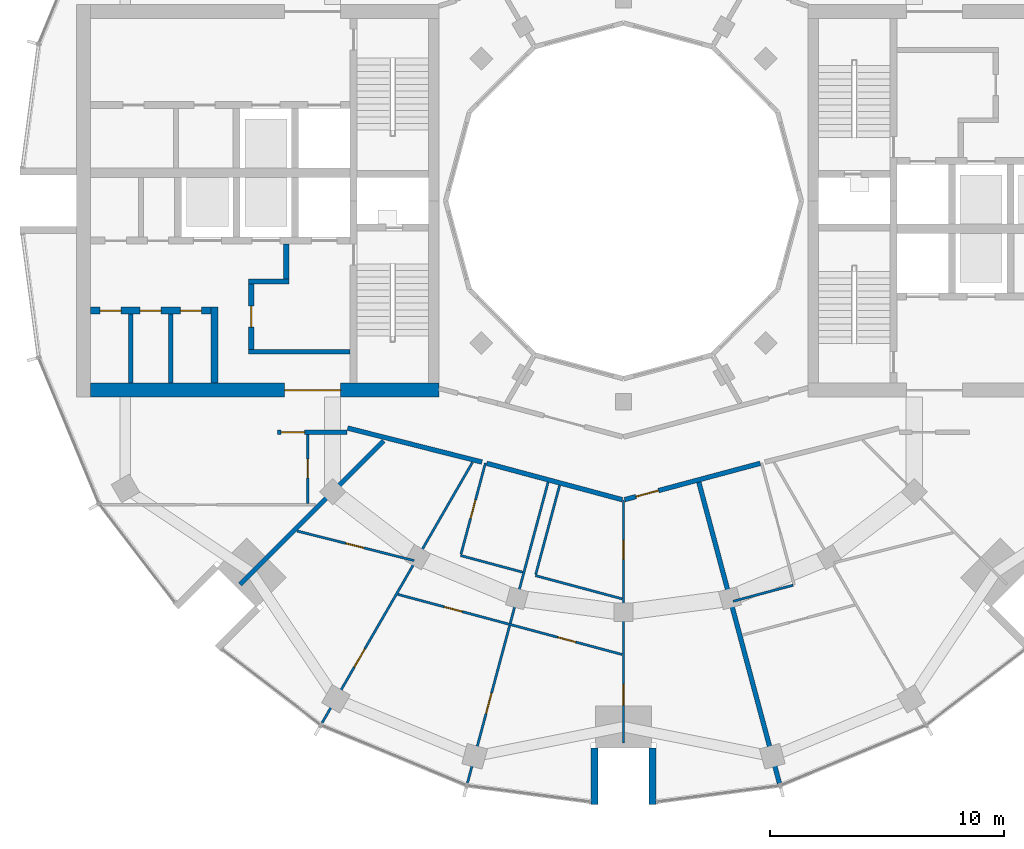
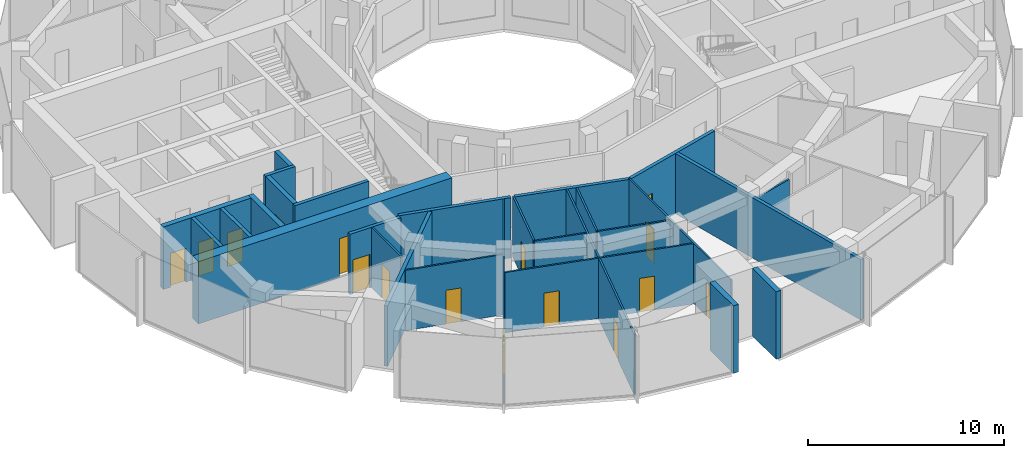
# One storey, part 8 of 15: 28 walls, 16 doors, 16 openings.
"""IFC4 building model written with IfcOpenShell, lengths in metres."""

from ifc_helpers import new_model, si_unit, direction, frame, frame_2d, origin, place, context, subcontext, project, spatial, rectangle, extrude, material, layer, layer_set, type_object, element, fill, save


model = new_model("IFC4")

# Units and contexts
model_context = context("Model", 3, precision=1e-05, world=origin(), true_north=direction((0.0, 1.0)))
body_context = subcontext(model_context, "Body", "Model", "MODEL_VIEW")
ifc_project = project(units=[si_unit("LENGTHUNIT", "METRE"), si_unit("AREAUNIT", "SQUARE_METRE"), si_unit("VOLUMEUNIT", "CUBIC_METRE"), si_unit("PLANEANGLEUNIT", "RADIAN"), si_unit("MASSUNIT", "GRAM", prefix="KILO")], contexts=[model_context])

# Site, building, storey
site_placement = place(None, origin())
site = spatial("IfcSite", under=ifc_project, at=site_placement, CompositionType="ELEMENT")
building_placement = place(site_placement, origin())
building = spatial("IfcBuilding", under=site, at=building_placement, Name="Torre Brocal", CompositionType="ELEMENT")
storey_placement = place(building_placement, frame((0.0, 0.0, 254.10009765625)))
storey = spatial("IfcBuildingStorey", under=building, at=storey_placement, Name="L58", CompositionType="ELEMENT", Elevation=254.10009765625)

# Walls
ifc_material_1 = material(Name="Masonry block", Category="masonry")
ifc_layer_1 = layer(ifc_material_1, 0.199951171875)
ifc_layer_set_1 = layer_set([ifc_layer_1], Name="Masonry block")
wall_type_1 = type_object("IfcWallType", Name="CORE PARTITION 200", PredefinedType="PARTITIONING", material=ifc_layer_set_1)
for number, where, z_axis, x_axis, name in (
    (1, (60.63330078125, 70.14990234375, 0.0), (0.0, 0.0, 1.0), (0.0, -1.0, 0.0), "Wall CP200"),
    (2, (58.916748046875, 70.14990234375, 0.0), (0.0, 0.0, 1.0), (0.0, -1.0, 0.0), "Wall CP200"),
):
    element("IfcWall", number, at=place(storey_placement, frame(where, z_axis=z_axis, x_axis=x_axis)), inside=storey, type_object=wall_type_1, Name=name, PredefinedType="PARTITIONING", context=body_context, shape_type="SweptSolid", body=[
        extrude(rectangle(XDim=2.949951171875, YDim=0.199951171875, at=frame_2d((1.47509765625, 0.0))), origin(), (0.0, 0.0, 1.0), 3.8798828125),
    ])
ifc_material_2 = material(Name="Concrete C60", Category="concrete")
ifc_layer_2 = layer(ifc_material_2, 0.199951171875)
ifc_layer_set_2 = layer_set([ifc_layer_2], Name="Concrete C60")
wall_type_2 = type_object("IfcWallType", Name="CORE WALL 200 C60", PredefinedType="SHEAR", material=ifc_layer_set_2)
wall_1_placement = place(storey_placement, frame((68.300048828125, 68.550048828125, 0.0), z_axis=(0.0, 0.0, 1.0), x_axis=(-1.0, 0.0, 0.0)))
element("IfcWall", 3, at=wall_1_placement, inside=storey, type_object=wall_type_2, Name="Wall CW200-60", PredefinedType="SHEAR", context=body_context, shape_type="SweptSolid", body=[
    extrude(rectangle(XDim=4.35009765625, YDim=0.199951171875, at=frame_2d((2.175048828125, 0.0))), origin(), (0.0, 0.0, 1.0), 3.8798828125),
])
wall_2_placement = place(storey_placement, frame((65.699951171875, 71.550048828125, 0.0), z_axis=(0.0, 0.0, 1.0), x_axis=(-1.0, 0.0, 0.0)))
element("IfcWall", 4, at=wall_2_placement, inside=storey, type_object=wall_type_2, Name="Wall CW200-60", PredefinedType="SHEAR", context=body_context, shape_type="SweptSolid", body=[
    extrude(rectangle(XDim=1.75, YDim=0.199951171875, at=frame_2d((0.875, 0.0))), origin(), (0.0, 0.0, 1.0), 3.8798828125),
])

# Wall, opening, door
ifc_material_3 = material(Name="Concrete C60", Category="concrete")
ifc_layer_3 = layer(ifc_material_3, 0.25)
ifc_layer_set_3 = layer_set([ifc_layer_3], Name="Concrete C60")
wall_type_3 = type_object("IfcWallType", Name="CORE WALL 250 C60", PredefinedType="SHEAR", material=ifc_layer_set_3)
wall_3_placement = place(storey_placement, frame((64.074951171875, 71.449951171875, 0.0), z_axis=(0.0, 0.0, 1.0), x_axis=(0.0, -1.0, 0.0)))
wall_3 = element("IfcWall", 5, at=wall_3_placement, inside=storey, type_object=wall_type_3, Name="Wall CW250-60", PredefinedType="SHEAR", context=body_context, shape_type="SweptSolid", body=[
    extrude(rectangle(XDim=2.800048828125, YDim=0.25, at=frame_2d((1.39990234375, 0.0))), origin(), (0.0, 0.0, 1.0), 3.8798828125),
])
opening_1_placement = place(wall_3_placement, frame((0.949951171875, 0.0, 0.0)))
opening_1 = element("IfcOpeningElement", 6, at=opening_1_placement, cuts=wall_3, Name="Opening W-D08", PredefinedType="OPENING", context=body_context, shape_type="SweptSolid", body=[
    extrude(rectangle(XDim=0.89990234375, YDim=2.10009765625, at=frame_2d((0.449951171875, 1.050048828125))), frame((0.0, 0.135009765625, 0.0), z_axis=(0.0, -1.0, 0.0), x_axis=(1.0, 0.0, 0.0)), (0.0, 0.0, 1.0), 0.27001953125),
])
ifc_material_4 = material(Name="Steel A653", Category="steel")
door_type_1 = type_object("IfcDoorType", Name="LOBBY DOOR FD120 900X2100", OperationType="SINGLE_SWING_RIGHT", PredefinedType="DOOR", material=ifc_material_4)
door_1_placement = place(opening_1_placement, origin())
door_1 = element("IfcDoor", 7, at=door_1_placement, inside=storey, type_object=door_type_1, Name="Door W-D08", OperationType="SINGLE_SWING_LEFT", OverallHeight=2.10009765625, OverallWidth=0.89990234375, PredefinedType="DOOR", context=body_context, shape_type="SweptSolid", body=[
    extrude(rectangle(XDim=0.89990234375, YDim=2.10009765625, at=frame_2d((0.449951171875, 1.050048828125))), frame((0.0, 0.02490234375, 0.0), z_axis=(0.0, -1.0, 0.0), x_axis=(1.0, 0.0, 0.0)), (0.0, 0.0, 1.0), 0.050048828125),
])
fill(opening_1, door_1)

# Walls
wall_4_placement = place(storey_placement, frame((65.574951171875, 73.14990234375, 0.0), z_axis=(0.0, 0.0, 1.0), x_axis=(0.0, -1.0, 0.0)))
element("IfcWall", 8, at=wall_4_placement, inside=storey, type_object=wall_type_3, Name="Wall CW250-60", PredefinedType="SHEAR", context=body_context, shape_type="SweptSolid", body=[
    extrude(rectangle(XDim=1.5, YDim=0.25, at=frame_2d((0.75, 0.0))), origin(), (0.0, 0.0, 1.0), 3.8798828125),
])
ifc_material_5 = material(Name="Concrete C60", Category="concrete")
ifc_layer_4 = layer(ifc_material_5, 0.300048828125)
ifc_layer_set_4 = layer_set([ifc_layer_4], Name="Concrete C60")
wall_type_4 = type_object("IfcWallType", Name="CORE WALL 300 C60", PredefinedType="SHEAR", material=ifc_layer_set_4)
wall_5_placement = place(storey_placement, frame((62.5, 70.449951171875, 0.0), z_axis=(0.0, 0.0, 1.0), x_axis=(0.0, -1.0, 0.0)))
element("IfcWall", 9, at=wall_5_placement, inside=storey, type_object=wall_type_4, Name="Wall CW300-60", PredefinedType="SHEAR", context=body_context, shape_type="SweptSolid", body=[
    extrude(rectangle(XDim=3.25, YDim=0.300048828125, at=frame_2d((1.625, 0.0))), origin(), (0.0, 0.0, 1.0), 3.8798828125),
])

# Wall, openings, doors
wall_6_placement = place(storey_placement, frame((62.35009765625, 70.300048828125, 0.0), z_axis=(0.0, 0.0, 1.0), x_axis=(-1.0, 0.0, 0.0)))
wall_6 = element("IfcWall", 10, at=wall_6_placement, inside=storey, type_object=wall_type_4, Name="Wall CW300-60", PredefinedType="SHEAR", context=body_context, shape_type="SweptSolid", body=[
    extrude(rectangle(XDim=5.150146484375, YDim=0.300048828125, at=frame_2d((2.5751953125, 0.0))), origin(), (0.0, 0.0, 1.0), 3.8798828125),
])
opening_2_placement = place(wall_6_placement, frame((0.408203125, 0.0, 0.0)))
opening_2 = element("IfcOpeningElement", 11, at=opening_2_placement, cuts=wall_6, Name="Opening W-D09", PredefinedType="OPENING", context=body_context, shape_type="SweptSolid", body=[
    extrude(rectangle(XDim=0.89990234375, YDim=2.10009765625, at=frame_2d((0.449951171875, 1.050048828125))), frame((0.0, 0.159912109375, 0.0), z_axis=(0.0, -1.0, 0.0), x_axis=(1.0, 0.0, 0.0)), (0.0, 0.0, 1.0), 0.320068359375),
])
opening_3_placement = place(wall_6_placement, frame((2.125, 0.0, 0.0)))
opening_3 = element("IfcOpeningElement", 12, at=opening_3_placement, cuts=wall_6, Name="Opening W-D10", PredefinedType="OPENING", context=body_context, shape_type="SweptSolid", body=[
    extrude(rectangle(XDim=0.89990234375, YDim=2.10009765625, at=frame_2d((0.449951171875, 1.050048828125))), frame((0.0, 0.159912109375, 0.0), z_axis=(0.0, -1.0, 0.0), x_axis=(1.0, 0.0, 0.0)), (0.0, 0.0, 1.0), 0.320068359375),
])
opening_4_placement = place(wall_6_placement, frame((3.841796875, 0.0, 0.0)))
opening_4 = element("IfcOpeningElement", 13, at=opening_4_placement, cuts=wall_6, Name="Opening W-D11", PredefinedType="OPENING", context=body_context, shape_type="SweptSolid", body=[
    extrude(rectangle(XDim=0.89990234375, YDim=2.10009765625, at=frame_2d((0.449951171875, 1.050048828125))), frame((0.0, 0.159912109375, 0.0), z_axis=(0.0, -1.0, 0.0), x_axis=(1.0, 0.0, 0.0)), (0.0, 0.0, 1.0), 0.320068359375),
])
ifc_material_6 = material(Name="Steel A653", Category="steel")
door_type_2 = type_object("IfcDoorType", Name="ROOM DOOR FD30S 900X2100", OperationType="SINGLE_SWING_LEFT", PredefinedType="DOOR", material=ifc_material_6)
door_2_placement = place(opening_2_placement, origin())
door_2 = element("IfcDoor", 14, at=door_2_placement, inside=storey, type_object=door_type_2, Name="Door W-D09", OperationType="SINGLE_SWING_RIGHT", OverallHeight=2.10009765625, OverallWidth=0.89990234375, PredefinedType="DOOR", context=body_context, shape_type="SweptSolid", body=[
    extrude(rectangle(XDim=0.89990234375, YDim=2.10009765625, at=frame_2d((0.449951171875, 1.050048828125))), frame((0.0, 0.02490234375, 0.0), z_axis=(0.0, -1.0, 0.0), x_axis=(1.0, 0.0, 0.0)), (0.0, 0.0, 1.0), 0.050048828125),
])
fill(opening_2, door_2)
door_3_placement = place(opening_3_placement, origin())
door_3 = element("IfcDoor", 15, at=door_3_placement, inside=storey, type_object=door_type_2, Name="Door W-D10", OperationType="SINGLE_SWING_LEFT", OverallHeight=2.10009765625, OverallWidth=0.89990234375, PredefinedType="DOOR", context=body_context, shape_type="SweptSolid", body=[
    extrude(rectangle(XDim=0.89990234375, YDim=2.10009765625, at=frame_2d((0.449951171875, 1.050048828125))), frame((0.0, 0.02490234375, 0.0), z_axis=(0.0, -1.0, 0.0), x_axis=(1.0, 0.0, 0.0)), (0.0, 0.0, 1.0), 0.050048828125),
])
fill(opening_3, door_3)
door_4_placement = place(opening_4_placement, origin())
door_4 = element("IfcDoor", 16, at=door_4_placement, inside=storey, type_object=door_type_2, Name="Door W-D11", OperationType="SINGLE_SWING_LEFT", OverallHeight=2.10009765625, OverallWidth=0.89990234375, PredefinedType="DOOR", context=body_context, shape_type="SweptSolid", body=[
    extrude(rectangle(XDim=0.89990234375, YDim=2.10009765625, at=frame_2d((0.449951171875, 1.050048828125))), frame((0.0, 0.02490234375, 0.0), z_axis=(0.0, -1.0, 0.0), x_axis=(1.0, 0.0, 0.0)), (0.0, 0.0, 1.0), 0.050048828125),
])
fill(opening_4, door_4)

# Wall, opening, door
ifc_material_7 = material(Name="Concrete C60", Category="concrete")
ifc_layer_5 = layer(ifc_material_7, 0.60009765625)
ifc_layer_set_5 = layer_set([ifc_layer_5], Name="Concrete C60")
wall_type_5 = type_object("IfcWallType", Name="CORE WALL 600 C60", PredefinedType="SHEAR", material=ifc_layer_set_5)
wall_7_placement = place(storey_placement, frame((72.10009765625, 66.89990234375, 0.0), z_axis=(0.0, 0.0, 1.0), x_axis=(-1.0, 0.0, 0.0)))
wall_7 = element("IfcWall", 17, at=wall_7_placement, inside=storey, type_object=wall_type_5, Name="Wall CW600-60", PredefinedType="SHEAR", context=body_context, shape_type="SweptSolid", body=[
    extrude(rectangle(XDim=14.900146484375, YDim=0.60009765625, at=frame_2d((7.4501953125, 0.0))), origin(), (0.0, 0.0, 1.0), 3.8798828125),
])
opening_5_placement = place(wall_7_placement, frame((4.199951171875, 0.0, 0.0)))
opening_5 = element("IfcOpeningElement", 18, at=opening_5_placement, cuts=wall_7, Name="Opening W-D12", PredefinedType="OPENING", context=body_context, shape_type="SweptSolid", body=[
    extrude(rectangle(XDim=2.39990234375, YDim=2.39990234375, at=frame_2d((1.199951171875, 1.199951171875))), frame((0.0, 0.31005859375, 0.0), z_axis=(0.0, -1.0, 0.0), x_axis=(1.0, 0.0, 0.0)), (0.0, 0.0, 1.0), 0.6201171875),
])
ifc_material_8 = material(Name="Steel A653", Category="steel")
door_type_3 = type_object("IfcDoorType", Name="DOUBLE FIRE DOOR FD90 2400X2400", OperationType="DOUBLE_DOOR_SINGLE_SWING", PredefinedType="DOOR", material=ifc_material_8)
door_5_placement = place(opening_5_placement, frame((2.39990234375, 0.0, 0.0), z_axis=(0.0, 0.0, 1.0), x_axis=(-1.0, 0.0, 0.0)))
door_5 = element("IfcDoor", 19, at=door_5_placement, inside=storey, type_object=door_type_3, Name="Door W-D12", OperationType="DOUBLE_DOOR_SINGLE_SWING", OverallHeight=2.39990234375, OverallWidth=2.39990234375, PredefinedType="DOOR", context=body_context, shape_type="SweptSolid", body=[
    extrude(rectangle(XDim=2.39990234375, YDim=2.39990234375, at=frame_2d((1.199951171875, 1.199951171875))), frame((0.0, 0.02490234375, 0.0), z_axis=(0.0, -1.0, 0.0), x_axis=(1.0, 0.0, 0.0)), (0.0, 0.0, 1.0), 0.050048828125),
])
fill(opening_5, door_5)

# Walls
ifc_material_9 = material(Name="Concrete C60", Category="concrete")
ifc_layer_6 = layer(ifc_material_9, 0.300048828125)
ifc_layer_set_6 = layer_set([ifc_layer_6], Name="Concrete C60")
wall_type_6 = type_object("IfcWallType", Name="NOTCH RETURN WALL 300 C60", PredefinedType="NOTDEFINED", material=ifc_layer_set_6)
for number, where, z_axis, x_axis, name in (
    (20, (78.75, 51.60009765625, 0.0), (0.0, 0.0, 1.0), (0.0, -1.0, 0.0), "NOTCH RETURN WALL"),
    (21, (81.25, 51.60009765625, 0.0), (0.0, 0.0, 1.0), (0.0, -1.0, 0.0), "NOTCH RETURN WALL"),
):
    element("IfcWall", number, at=place(storey_placement, frame(where, z_axis=z_axis, x_axis=x_axis)), inside=storey, type_object=wall_type_6, Name=name, PredefinedType="NOTDEFINED", context=body_context, shape_type="SweptSolid", body=[
        extrude(rectangle(XDim=2.415771484375, YDim=0.300048828125, at=frame_2d((1.2080078125, 0.0))), origin(), (0.0, 0.0, 1.0), 4.199951171875),
    ])

# Wall, opening, door
ifc_material_10 = material(Name="Gypsum board", Category="Gypsum")
ifc_layer_7 = layer(ifc_material_10, 0.10009765625)
ifc_layer_set_7 = layer_set([ifc_layer_7], Name="Gypsum board")
wall_type_7 = type_object("IfcWallType", Name="PARTITION 100", PredefinedType="PARTITIONING", material=ifc_layer_set_7)
wall_8_placement = place(storey_placement, frame((66.044677734375, 60.874755859375, 0.0), z_axis=(0.0, 0.0, 1.0), x_axis=(0.969437033678, -0.245340248908, 0.0)))
wall_8 = element("IfcWall", 22, at=wall_8_placement, inside=storey, type_object=wall_type_7, Name="BATHROOM WALL", PredefinedType="PARTITIONING", context=body_context, shape_type="SweptSolid", body=[
    extrude(rectangle(XDim=5.15966796875, YDim=0.10009765625, at=frame_2d((2.579833984375, 0.0))), origin(), (0.0, 0.0, 1.0), 3.75),
])
opening_6_placement = place(wall_8_placement, frame((2.139892578125, 0.0, 0.0)))
opening_6 = element("IfcOpeningElement", 23, at=opening_6_placement, cuts=wall_8, Name="Opening B04-D35", PredefinedType="OPENING", context=body_context, shape_type="SweptSolid", body=[
    extrude(rectangle(XDim=0.800048828125, YDim=2.10009765625, at=frame_2d((0.39990234375, 1.050048828125))), frame((0.0, 0.06005859375, 0.0), z_axis=(0.0, -1.0, 0.0), x_axis=(1.0, 0.0, 0.0)), (0.0, 0.0, 1.0), 0.1201171875),
])
ifc_material_11 = material(Name="Timber", Category="wood")
door_type_4 = type_object("IfcDoorType", Name="BATHROOM DOOR 800X2100", OperationType="SINGLE_SWING_LEFT", PredefinedType="DOOR", material=ifc_material_11)
door_6_placement = place(opening_6_placement, origin())
door_6 = element("IfcDoor", 24, at=door_6_placement, inside=storey, type_object=door_type_4, Name="B04-D35", OperationType="SINGLE_SWING_LEFT", OverallHeight=2.10009765625, OverallWidth=0.800048828125, PredefinedType="DOOR", context=body_context, shape_type="SweptSolid", body=[
    extrude(rectangle(XDim=0.800048828125, YDim=2.10009765625, at=frame_2d((0.39990234375, 1.050048828125))), frame((0.0, 0.02490234375, 0.0), z_axis=(0.0, -1.0, 0.0), x_axis=(1.0, 0.0, 0.0)), (0.0, 0.0, 1.0), 0.050048828125),
])
fill(opening_6, door_6)

wall_9_placement = place(storey_placement, frame((66.5, 62.050048828125, 0.0), z_axis=(0.0, 0.0, 1.0), x_axis=(0.0, 1.0, 0.0)))
wall_9 = element("IfcWall", 25, at=wall_9_placement, inside=storey, type_object=wall_type_7, Name="BATHROOM WALL", PredefinedType="PARTITIONING", context=body_context, shape_type="SweptSolid", body=[
    extrude(rectangle(XDim=2.949951171875, YDim=0.10009765625, at=frame_2d((1.47509765625, 0.0))), origin(), (0.0, 0.0, 1.0), 3.75),
])
opening_7_placement = place(wall_9_placement, frame((1.10009765625, 0.0, 0.0)))
opening_7 = element("IfcOpeningElement", 26, at=opening_7_placement, cuts=wall_9, Name="Opening B04-D38", PredefinedType="OPENING", context=body_context, shape_type="SweptSolid", body=[
    extrude(rectangle(XDim=0.800048828125, YDim=2.10009765625, at=frame_2d((0.39990234375, 1.050048828125))), frame((0.0, 0.06005859375, 0.0), z_axis=(0.0, -1.0, 0.0), x_axis=(1.0, 0.0, 0.0)), (0.0, 0.0, 1.0), 0.1201171875),
])
door_7_placement = place(opening_7_placement, frame((0.800048828125, 0.0, 0.0), z_axis=(0.0, 0.0, 1.0), x_axis=(-1.0, 0.0, 0.0)))
door_7 = element("IfcDoor", 27, at=door_7_placement, inside=storey, type_object=door_type_4, Name="B04-D38", OperationType="SINGLE_SWING_LEFT", OverallHeight=2.10009765625, OverallWidth=0.800048828125, PredefinedType="DOOR", context=body_context, shape_type="SweptSolid", body=[
    extrude(rectangle(XDim=0.800048828125, YDim=2.10009765625, at=frame_2d((0.39990234375, 1.050048828125))), frame((0.0, 0.02490234375, 0.0), z_axis=(0.0, -1.0, 0.0), x_axis=(1.0, 0.0, 0.0)), (0.0, 0.0, 1.0), 0.050048828125),
])
fill(opening_7, door_7)

wall_10_placement = place(storey_placement, frame((67.100830078125, 52.65869140625, 0.0), z_axis=(0.0, 0.0, 1.0), x_axis=(0.499999276258, 0.866025821636, 0.0)))
wall_10 = element("IfcWall", 28, at=wall_10_placement, inside=storey, type_object=wall_type_7, Name="BATHROOM WALL", PredefinedType="PARTITIONING", context=body_context, shape_type="SweptSolid", body=[
    extrude(rectangle(XDim=12.87646484375, YDim=0.10009765625, at=frame_2d((6.438232421875, 0.0))), origin(), (0.0, 0.0, 1.0), 3.75),
])
opening_8_placement = place(wall_10_placement, frame((2.76318359375, 0.0, 0.0)))
opening_8 = element("IfcOpeningElement", 29, at=opening_8_placement, cuts=wall_10, Name="Opening B04-D34", PredefinedType="OPENING", context=body_context, shape_type="SweptSolid", body=[
    extrude(rectangle(XDim=0.89990234375, YDim=2.10009765625, at=frame_2d((0.449951171875, 1.050048828125))), frame((0.0, 0.06005859375, 0.0), z_axis=(0.0, -1.0, 0.0), x_axis=(1.0, 0.0, 0.0)), (0.0, 0.0, 1.0), 0.1201171875),
])
ifc_material_12 = material(Name="Timber", Category="wood")
door_type_5 = type_object("IfcDoorType", Name="ROOM DOOR 900X2100", OperationType="SINGLE_SWING_LEFT", PredefinedType="DOOR", material=ifc_material_12)
door_8_placement = place(opening_8_placement, origin())
door_8 = element("IfcDoor", 30, at=door_8_placement, inside=storey, type_object=door_type_5, Name="B04-D34", OperationType="SINGLE_SWING_LEFT", OverallHeight=2.10009765625, OverallWidth=0.89990234375, PredefinedType="DOOR", context=body_context, shape_type="SweptSolid", body=[
    extrude(rectangle(XDim=0.89990234375, YDim=2.10009765625, at=frame_2d((0.449951171875, 1.050048828125))), frame((0.0, 0.02490234375, 0.0), z_axis=(0.0, -1.0, 0.0), x_axis=(1.0, 0.0, 0.0)), (0.0, 0.0, 1.0), 0.050048828125),
])
fill(opening_8, door_8)

# Wall, openings, doors
wall_11_placement = place(storey_placement, frame((70.34716796875, 58.165283203125, 0.0), z_axis=(0.0, 0.0, 1.0), x_axis=(0.965891429463, -0.2589473817, 0.0)))
wall_11 = element("IfcWall", 31, at=wall_11_placement, inside=storey, type_object=wall_type_7, Name="BATHROOM WALL", PredefinedType="PARTITIONING", context=body_context, shape_type="SweptSolid", body=[
    extrude(rectangle(XDim=9.93359375, YDim=0.10009765625, at=frame_2d((4.966796875, 0.0))), origin(), (0.0, 0.0, 1.0), 3.75),
])
opening_9_placement = place(wall_11_placement, frame((7.08056640625, 0.0, 0.0)))
opening_9 = element("IfcOpeningElement", 32, at=opening_9_placement, cuts=wall_11, Name="Opening B04-D29", PredefinedType="OPENING", context=body_context, shape_type="SweptSolid", body=[
    extrude(rectangle(XDim=0.800048828125, YDim=2.10009765625, at=frame_2d((0.39990234375, 1.050048828125))), frame((0.0, 0.06005859375, 0.0), z_axis=(0.0, -1.0, 0.0), x_axis=(1.0, 0.0, 0.0)), (0.0, 0.0, 1.0), 0.1201171875),
])
opening_10_placement = place(wall_11_placement, frame((2.0537109375, 0.0, 0.0)))
opening_10 = element("IfcOpeningElement", 33, at=opening_10_placement, cuts=wall_11, Name="Opening B04-D32", PredefinedType="OPENING", context=body_context, shape_type="SweptSolid", body=[
    extrude(rectangle(XDim=0.800048828125, YDim=2.10009765625, at=frame_2d((0.39990234375, 1.050048828125))), frame((0.0, 0.06005859375, 0.0), z_axis=(0.0, -1.0, 0.0), x_axis=(1.0, 0.0, 0.0)), (0.0, 0.0, 1.0), 0.1201171875),
])
door_9_placement = place(opening_9_placement, origin())
door_9 = element("IfcDoor", 34, at=door_9_placement, inside=storey, type_object=door_type_4, Name="B04-D29", OperationType="SINGLE_SWING_RIGHT", OverallHeight=2.10009765625, OverallWidth=0.800048828125, PredefinedType="DOOR", context=body_context, shape_type="SweptSolid", body=[
    extrude(rectangle(XDim=0.800048828125, YDim=2.10009765625, at=frame_2d((0.39990234375, 1.050048828125))), frame((0.0, 0.02490234375, 0.0), z_axis=(0.0, -1.0, 0.0), x_axis=(1.0, 0.0, 0.0)), (0.0, 0.0, 1.0), 0.050048828125),
])
fill(opening_9, door_9)
door_10_placement = place(opening_10_placement, origin())
door_10 = element("IfcDoor", 35, at=door_10_placement, inside=storey, type_object=door_type_4, Name="B04-D32", OperationType="SINGLE_SWING_LEFT", OverallHeight=2.10009765625, OverallWidth=0.800048828125, PredefinedType="DOOR", context=body_context, shape_type="SweptSolid", body=[
    extrude(rectangle(XDim=0.800048828125, YDim=2.10009765625, at=frame_2d((0.39990234375, 1.050048828125))), frame((0.0, 0.02490234375, 0.0), z_axis=(0.0, -1.0, 0.0), x_axis=(1.0, 0.0, 0.0)), (0.0, 0.0, 1.0), 0.050048828125),
])
fill(opening_10, door_10)

# Wall, opening, door
wall_12_placement = place(storey_placement, frame((73.0458984375, 59.874755859375, 0.0), z_axis=(0.0, 0.0, 1.0), x_axis=(0.258983170584, 0.965881834053, 0.0)))
wall_12 = element("IfcWall", 36, at=wall_12_placement, inside=storey, type_object=wall_type_7, Name="BATHROOM WALL", PredefinedType="PARTITIONING", context=body_context, shape_type="SweptSolid", body=[
    extrude(rectangle(XDim=4.0498046875, YDim=0.10009765625, at=frame_2d((2.02490234375, 0.0))), origin(), (0.0, 0.0, 1.0), 3.75),
])
opening_11_placement = place(wall_12_placement, frame((1.599853515625, 0.0, 0.0)))
opening_11 = element("IfcOpeningElement", 37, at=opening_11_placement, cuts=wall_12, Name="Opening B04-D33", PredefinedType="OPENING", context=body_context, shape_type="SweptSolid", body=[
    extrude(rectangle(XDim=0.800048828125, YDim=2.10009765625, at=frame_2d((0.39990234375, 1.050048828125))), frame((0.0, 0.06005859375, 0.0), z_axis=(0.0, -1.0, 0.0), x_axis=(1.0, 0.0, 0.0)), (0.0, 0.0, 1.0), 0.1201171875),
])
door_11_placement = place(opening_11_placement, frame((0.800048828125, 0.0, 0.0), z_axis=(0.0, 0.0, 1.0), x_axis=(-1.0, 0.0, 0.0)))
door_11 = element("IfcDoor", 38, at=door_11_placement, inside=storey, type_object=door_type_4, Name="B04-D33", OperationType="SINGLE_SWING_RIGHT", OverallHeight=2.10009765625, OverallWidth=0.800048828125, PredefinedType="DOOR", context=body_context, shape_type="SweptSolid", body=[
    extrude(rectangle(XDim=0.800048828125, YDim=2.10009765625, at=frame_2d((0.39990234375, 1.050048828125))), frame((0.0, 0.02490234375, 0.0), z_axis=(0.0, -1.0, 0.0), x_axis=(1.0, 0.0, 0.0)), (0.0, 0.0, 1.0), 0.050048828125),
])
fill(opening_11, door_11)

# Wall
wall_13_placement = place(storey_placement, frame((73.034912109375, 59.82568359375, 0.0), z_axis=(0.0, 0.0, 1.0), x_axis=(0.965905892915, -0.258893426011, 0.0)))
element("IfcWall", 39, at=wall_13_placement, inside=storey, type_object=wall_type_7, Name="BATHROOM WALL", PredefinedType="PARTITIONING", context=body_context, shape_type="SweptSolid", body=[
    extrude(rectangle(XDim=2.740478515625, YDim=0.10009765625, at=frame_2d((1.3701171875, 0.0))), origin(), (0.0, 0.0, 1.0), 3.75),
])

# Wall, opening, door
wall_14_placement = place(storey_placement, frame((73.321533203125, 50.0810546875, 0.0), z_axis=(0.0, 0.0, 1.0), x_axis=(0.258871185824, 0.965911853717, 0.0)))
wall_14 = element("IfcWall", 40, at=wall_14_placement, inside=storey, type_object=wall_type_7, Name="BATHROOM WALL", PredefinedType="PARTITIONING", context=body_context, shape_type="SweptSolid", body=[
    extrude(rectangle(XDim=13.338134765625, YDim=0.10009765625, at=frame_2d((6.6689453125, 0.0))), origin(), (0.0, 0.0, 1.0), 3.75),
])
opening_12_placement = place(wall_14_placement, frame((3.093994140625, 0.0, 0.0)))
opening_12 = element("IfcOpeningElement", 41, at=opening_12_placement, cuts=wall_14, Name="Opening B04-D31", PredefinedType="OPENING", context=body_context, shape_type="SweptSolid", body=[
    extrude(rectangle(XDim=0.89990234375, YDim=2.10009765625, at=frame_2d((0.449951171875, 1.050048828125))), frame((0.0, 0.06005859375, 0.0), z_axis=(0.0, -1.0, 0.0), x_axis=(1.0, 0.0, 0.0)), (0.0, 0.0, 1.0), 0.1201171875),
])
door_12_placement = place(opening_12_placement, frame((0.89990234375, 0.0, 0.0), z_axis=(0.0, 0.0, 1.0), x_axis=(-1.0, 0.0, 0.0)))
door_12 = element("IfcDoor", 42, at=door_12_placement, inside=storey, type_object=door_type_5, Name="B04-D31", OperationType="SINGLE_SWING_RIGHT", OverallHeight=2.10009765625, OverallWidth=0.89990234375, PredefinedType="DOOR", context=body_context, shape_type="SweptSolid", body=[
    extrude(rectangle(XDim=0.89990234375, YDim=2.10009765625, at=frame_2d((0.449951171875, 1.050048828125))), frame((0.0, 0.02490234375, 0.0), z_axis=(0.0, -1.0, 0.0), x_axis=(1.0, 0.0, 0.0)), (0.0, 0.0, 1.0), 0.050048828125),
])
fill(opening_12, door_12)

# Walls
wall_15_placement = place(storey_placement, frame((76.246826171875, 59.016357421875, 0.0), z_axis=(0.0, 0.0, 1.0), x_axis=(0.258758738598, 0.965941983351, 0.0)))
element("IfcWall", 43, at=wall_15_placement, inside=storey, type_object=wall_type_7, Name="BATHROOM WALL", PredefinedType="PARTITIONING", context=body_context, shape_type="SweptSolid", body=[
    extrude(rectangle(XDim=3.950439453125, YDim=0.10009765625, at=frame_2d((1.97509765625, 0.0))), origin(), (0.0, 0.0, 1.0), 3.75),
])
wall_16_placement = place(storey_placement, frame((76.234130859375, 58.96826171875, 0.0), z_axis=(0.0, 0.0, 1.0), x_axis=(0.965915400995, -0.258857949697, 0.0)))
element("IfcWall", 44, at=wall_16_placement, inside=storey, type_object=wall_type_7, Name="BATHROOM WALL", PredefinedType="PARTITIONING", context=body_context, shape_type="SweptSolid", body=[
    extrude(rectangle(XDim=3.838623046875, YDim=0.10009765625, at=frame_2d((1.91943359375, 0.0))), origin(), (0.0, 0.0, 1.0), 3.75),
])

# Wall, openings, doors
wall_17_placement = place(storey_placement, frame((80.0, 51.800048828125, 0.0), z_axis=(0.0, 0.0, 1.0), x_axis=(0.0, 1.0, 0.0)))
wall_17 = element("IfcWall", 45, at=wall_17_placement, inside=storey, type_object=wall_type_7, Name="BATHROOM WALL", PredefinedType="PARTITIONING", context=body_context, shape_type="SweptSolid", body=[
    extrude(rectangle(XDim=10.404052734375, YDim=0.10009765625, at=frame_2d((5.2021484375, 0.0))), origin(), (0.0, 0.0, 1.0), 3.75),
])
opening_13_placement = place(wall_17_placement, frame((1.614013671875, 0.0, 0.0)))
opening_13 = element("IfcOpeningElement", 46, at=opening_13_placement, cuts=wall_17, Name="Opening B04-D28", PredefinedType="OPENING", context=body_context, shape_type="SweptSolid", body=[
    extrude(rectangle(XDim=0.89990234375, YDim=2.10009765625, at=frame_2d((0.449951171875, 1.050048828125))), frame((0.0, 0.06005859375, 0.0), z_axis=(0.0, -1.0, 0.0), x_axis=(1.0, 0.0, 0.0)), (0.0, 0.0, 1.0), 0.1201171875),
])
opening_14_placement = place(wall_17_placement, frame((7.87158203125, 0.0, 0.0)))
opening_14 = element("IfcOpeningElement", 47, at=opening_14_placement, cuts=wall_17, Name="Opening B04-D30", PredefinedType="OPENING", context=body_context, shape_type="SweptSolid", body=[
    extrude(rectangle(XDim=0.800048828125, YDim=2.10009765625, at=frame_2d((0.39990234375, 1.050048828125))), frame((0.0, 0.06005859375, 0.0), z_axis=(0.0, -1.0, 0.0), x_axis=(1.0, 0.0, 0.0)), (0.0, 0.0, 1.0), 0.1201171875),
])
door_13_placement = place(opening_14_placement, origin())
door_13 = element("IfcDoor", 48, at=door_13_placement, inside=storey, type_object=door_type_4, Name="B04-D30", OperationType="SINGLE_SWING_LEFT", OverallHeight=2.10009765625, OverallWidth=0.800048828125, PredefinedType="DOOR", context=body_context, shape_type="SweptSolid", body=[
    extrude(rectangle(XDim=0.800048828125, YDim=2.10009765625, at=frame_2d((0.39990234375, 1.050048828125))), frame((0.0, 0.02490234375, 0.0), z_axis=(0.0, -1.0, 0.0), x_axis=(1.0, 0.0, 0.0)), (0.0, 0.0, 1.0), 0.050048828125),
])
fill(opening_14, door_13)
door_14_placement = place(opening_13_placement, origin())
door_14 = element("IfcDoor", 49, at=door_14_placement, inside=storey, type_object=door_type_5, Name="B04-D28", OperationType="SINGLE_SWING_RIGHT", OverallHeight=2.10009765625, OverallWidth=0.89990234375, PredefinedType="DOOR", context=body_context, shape_type="SweptSolid", body=[
    extrude(rectangle(XDim=0.89990234375, YDim=2.10009765625, at=frame_2d((0.449951171875, 1.050048828125))), frame((0.0, 0.02490234375, 0.0), z_axis=(0.0, -1.0, 0.0), x_axis=(1.0, 0.0, 0.0)), (0.0, 0.0, 1.0), 0.050048828125),
])
fill(opening_13, door_14)

# Walls
ifc_material_13 = material(Name="Gypsum board", Category="Gypsum")
ifc_layer_8 = layer(ifc_material_13, 0.10009765625)
ifc_layer_set_8 = layer_set([ifc_layer_8], Name="Gypsum board")
wall_type_8 = type_object("IfcWallType", Name="PARTITION 100 UNDER BEAM 820", PredefinedType="PARTITIONING", material=ifc_layer_set_8)
wall_18_placement = place(storey_placement, frame((84.693603515625, 57.870849609375, 0.0), z_axis=(0.0, 0.0, 1.0), x_axis=(0.965896234037, 0.258929459649, 0.0)))
element("IfcWall", 50, at=wall_18_placement, inside=storey, type_object=wall_type_8, Name="BATHROOM WALL", PredefinedType="PARTITIONING", context=body_context, shape_type="SweptSolid", body=[
    extrude(rectangle(XDim=2.650390625, YDim=0.10009765625, at=frame_2d((1.3251953125, 0.0))), origin(), (0.0, 0.0, 1.0), 3.3798828125),
])
ifc_material_14 = material(Name="Gypsum board", Category="Gypsum")
ifc_layer_9 = layer(ifc_material_14, 0.199951171875)
ifc_layer_set_9 = layer_set([ifc_layer_9], Name="Gypsum board")
wall_type_9 = type_object("IfcWallType", Name="PARTITION 200 EI60", PredefinedType="PARTITIONING", material=ifc_layer_set_9)
wall_19_placement = place(storey_placement, frame((63.595703125, 58.595703125, 0.0), z_axis=(0.0, 0.0, 1.0), x_axis=(0.707106781187, 0.707106781187, 0.0)))
element("IfcWall", 51, at=wall_19_placement, inside=storey, type_object=wall_type_9, Name="BATHROOM WALL", PredefinedType="PARTITIONING", context=body_context, shape_type="SweptSolid", body=[
    extrude(rectangle(XDim=8.68896484375, YDim=0.199951171875, at=frame_2d((4.344482421875, 0.0))), origin(), (0.0, 0.0, 1.0), 3.75),
])

# Wall, opening, door
wall_20_placement = place(storey_placement, frame((65.199951171875, 65.10009765625, 0.0), z_axis=(0.0, 0.0, 1.0), x_axis=(1.0, 0.0, 0.0)))
wall_20 = element("IfcWall", 52, at=wall_20_placement, inside=storey, type_object=wall_type_9, Name="FLAT ENTRANCE WALL", PredefinedType="PARTITIONING", context=body_context, shape_type="SweptSolid", body=[
    extrude(rectangle(XDim=2.97998046875, YDim=0.199951171875, at=frame_2d((1.489990234375, 0.0))), origin(), (0.0, 0.0, 1.0), 3.75),
])
opening_15_placement = place(wall_20_placement, frame((0.159912109375, 0.0, 0.0)))
opening_15 = element("IfcOpeningElement", 53, at=opening_15_placement, cuts=wall_20, Name="Opening B04-D37", PredefinedType="OPENING", context=body_context, shape_type="SweptSolid", body=[
    extrude(rectangle(XDim=1.0, YDim=2.10009765625, at=frame_2d((0.5, 1.050048828125))), frame((0.0, 0.10986328125, 0.0), z_axis=(0.0, -1.0, 0.0), x_axis=(1.0, 0.0, 0.0)), (0.0, 0.0, 1.0), 0.219970703125),
])
ifc_material_15 = material(Name="Timber", Category="wood")
door_type_6 = type_object("IfcDoorType", Name="FLAT ENTRY DOOR FD30S 1000X2100", OperationType="SINGLE_SWING_RIGHT", PredefinedType="DOOR", material=ifc_material_15)
door_15_placement = place(opening_15_placement, frame((1.0, 0.0, 0.0), z_axis=(0.0, 0.0, 1.0), x_axis=(-1.0, 0.0, 0.0)))
door_15 = element("IfcDoor", 54, at=door_15_placement, inside=storey, type_object=door_type_6, Name="B04-D37", OperationType="SINGLE_SWING_LEFT", OverallHeight=2.10009765625, OverallWidth=1.0, PredefinedType="DOOR", context=body_context, shape_type="SweptSolid", body=[
    extrude(rectangle(XDim=1.0, YDim=2.10009765625, at=frame_2d((0.5, 1.050048828125))), frame((0.0, 0.02490234375, 0.0), z_axis=(0.0, -1.0, 0.0), x_axis=(1.0, 0.0, 0.0)), (0.0, 0.0, 1.0), 0.050048828125),
])
fill(opening_15, door_15)

# Walls
wall_21_placement = place(storey_placement, frame((68.199951171875, 65.280029296875, 0.0), z_axis=(0.0, 0.0, 1.0), x_axis=(0.969450596516, -0.245286650503, 0.0)))
element("IfcWall", 55, at=wall_21_placement, inside=storey, type_object=wall_type_9, Name="GUESTROOM CORRIDOR WALL", PredefinedType="PARTITIONING", context=body_context, shape_type="SweptSolid", body=[
    extrude(rectangle(XDim=5.92822265625, YDim=0.199951171875, at=frame_2d((2.964111328125, 0.0))), origin(), (0.0, 0.0, 1.0), 3.75),
])
wall_22_placement = place(storey_placement, frame((74.150146484375, 63.7724609375, 0.0), z_axis=(0.0, 0.0, 1.0), x_axis=(0.965801140662, -0.259283930655, 0.0)))
element("IfcWall", 56, at=wall_22_placement, inside=storey, type_object=wall_type_9, Name="CORRIDOR WALL", PredefinedType="PARTITIONING", context=body_context, shape_type="SweptSolid", body=[
    extrude(rectangle(XDim=6.00634765625, YDim=0.199951171875, at=frame_2d((3.003173828125, 0.0))), origin(), (0.0, 0.0, 1.0), 3.75),
])

# Wall, opening, door
wall_23_placement = place(storey_placement, frame((80.04833984375, 62.217041015625, 0.0), z_axis=(0.0, 0.0, 1.0), x_axis=(0.965941520544, 0.258760466242, 0.0)))
wall_23 = element("IfcWall", 57, at=wall_23_placement, inside=storey, type_object=wall_type_9, Name="FLAT ENTRANCE WALL", PredefinedType="PARTITIONING", context=body_context, shape_type="SweptSolid", body=[
    extrude(rectangle(XDim=6.00634765625, YDim=0.199951171875, at=frame_2d((3.003173828125, 0.0))), origin(), (0.0, 0.0, 1.0), 3.75),
])
opening_16_placement = place(wall_23_placement, frame((0.5, 0.0, 0.0)))
opening_16 = element("IfcOpeningElement", 58, at=opening_16_placement, cuts=wall_23, Name="Opening B04-D27", PredefinedType="OPENING", context=body_context, shape_type="SweptSolid", body=[
    extrude(rectangle(XDim=1.0, YDim=2.10009765625, at=frame_2d((0.5, 1.050048828125))), frame((0.0, 0.10986328125, 0.0), z_axis=(0.0, -1.0, 0.0), x_axis=(1.0, 0.0, 0.0)), (0.0, 0.0, 1.0), 0.219970703125),
])
door_16_placement = place(opening_16_placement, frame((1.0, 0.0, 0.0), z_axis=(0.0, 0.0, 1.0), x_axis=(-1.0, 0.0, 0.0)))
door_16 = element("IfcDoor", 59, at=door_16_placement, inside=storey, type_object=door_type_6, Name="B04-D27", OperationType="SINGLE_SWING_RIGHT", OverallHeight=2.10009765625, OverallWidth=1.0, PredefinedType="DOOR", context=body_context, shape_type="SweptSolid", body=[
    extrude(rectangle(XDim=1.0, YDim=2.10009765625, at=frame_2d((0.5, 1.050048828125))), frame((0.0, 0.02490234375, 0.0), z_axis=(0.0, -1.0, 0.0), x_axis=(1.0, 0.0, 0.0)), (0.0, 0.0, 1.0), 0.050048828125),
])
fill(opening_16, door_16)

# Wall
wall_24_placement = place(storey_placement, frame((83.222900390625, 62.9638671875, 0.0), z_axis=(0.0, 0.0, 1.0), x_axis=(0.25865252128, -0.965970430829, 0.0)))
element("IfcWall", 60, at=wall_24_placement, inside=storey, type_object=wall_type_9, Name="BATHROOM WALL", PredefinedType="PARTITIONING", context=body_context, shape_type="SweptSolid", body=[
    extrude(rectangle(XDim=13.338134765625, YDim=0.199951171875, at=frame_2d((6.6689453125, 0.0))), origin(), (0.0, 0.0, 1.0), 3.75),
])

save(model, "model.ifc")
